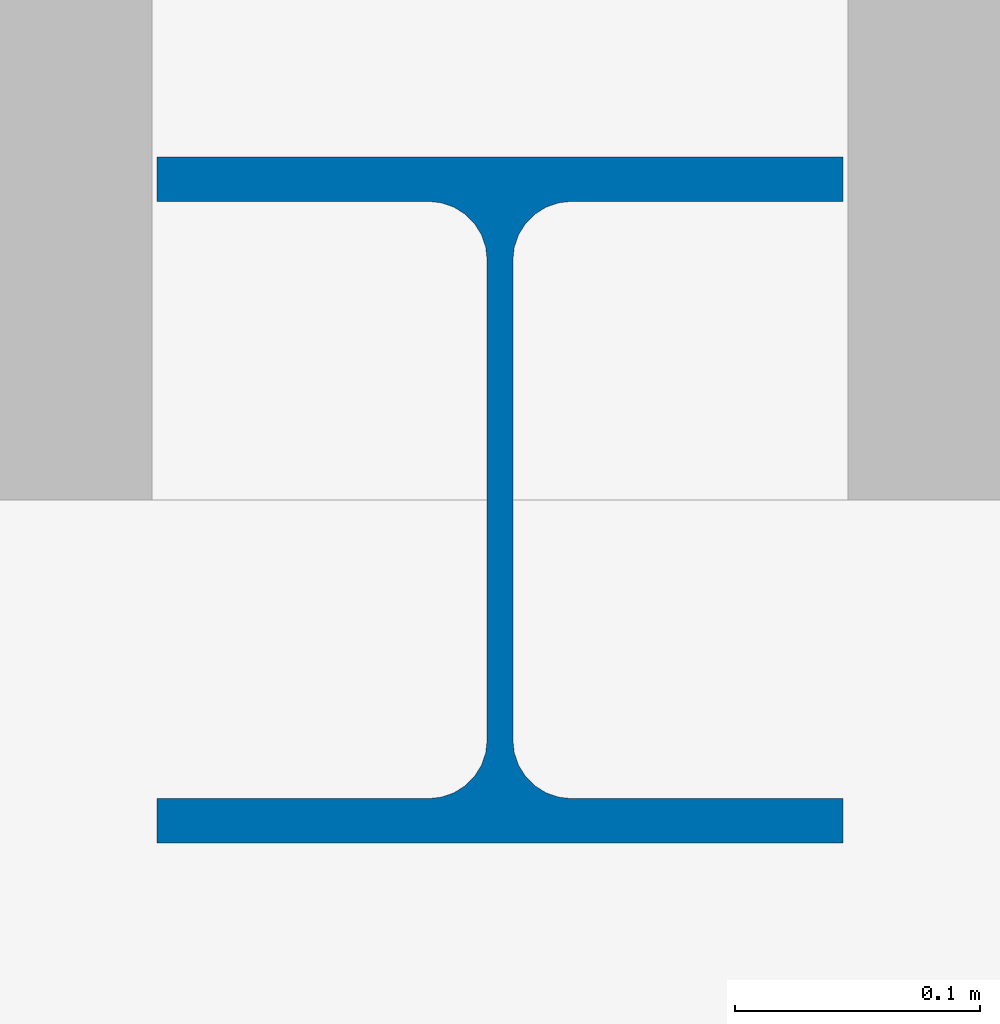
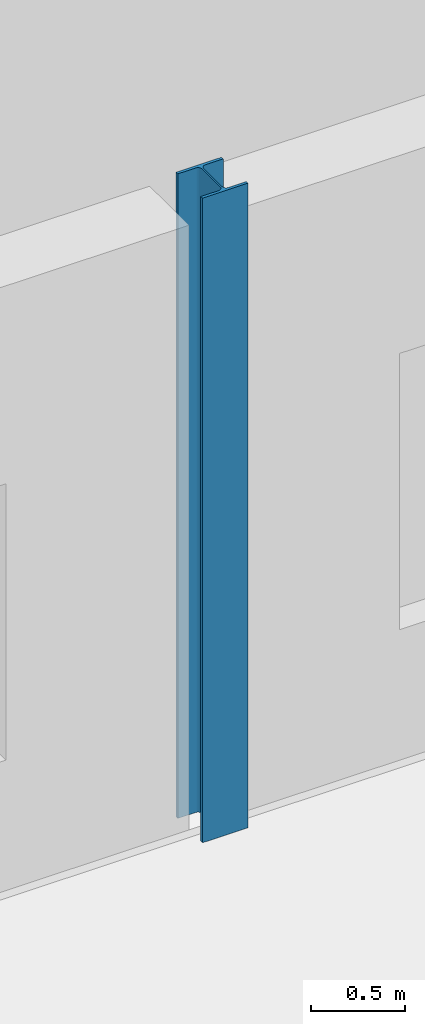
# One storey, part 11 of 124: 1 column.
"""IFC4 building model written with IfcOpenShell, lengths in metres."""

from ifc_helpers import new_model, si_unit, direction, frame, origin, origin_2d, place, context, subcontext, project, spatial, i_section, extrude, material, material_profile, profile_set, type_object, element, save


model = new_model("IFC4")

# Units and contexts
model_context = context("Model", 3, precision=1e-05, world=origin(), true_north=direction((0.0, 1.0)))
body_context = subcontext(model_context, "Body", "Model", "MODEL_VIEW")
ifc_project = project(units=[si_unit("LENGTHUNIT", "METRE"), si_unit("AREAUNIT", "SQUARE_METRE"), si_unit("VOLUMEUNIT", "CUBIC_METRE"), si_unit("PLANEANGLEUNIT", "RADIAN"), si_unit("MASSUNIT", "GRAM", prefix="KILO")], contexts=[model_context])

# Site, building, storey
site_placement = place(None, origin())
site = spatial("IfcSite", under=ifc_project, at=site_placement, CompositionType="ELEMENT")
building_placement = place(site_placement, origin())
building = spatial("IfcBuilding", under=site, at=building_placement, Name="Sundkrona Museum", CompositionType="ELEMENT")
storey_placement = place(building_placement, frame((0.0, 0.0, 17.60009765625)))
storey = spatial("IfcBuildingStorey", under=building, at=storey_placement, Name="L03", CompositionType="ELEMENT", Elevation=17.60009765625)

# Column
ifc_material = material(Name="Steel S355J2", Category="steel")
ifc_material_profile = material_profile(ifc_material, i_section(OverallWidth=0.280029296875, OverallDepth=0.280029296875, WebThickness=0.010498046875, FlangeThickness=0.01806640625, FilletRadius=0.02392578125, at=origin_2d()), Name="HEB 280")
ifc_profile_set = profile_set([ifc_material_profile], Name="Steel S355J2")
column_type = type_object("IfcColumnType", Name="C-HEB280", PredefinedType="COLUMN", material=ifc_profile_set)
column_placement = place(storey_placement, frame((112.0, 94.0, 0.0), z_axis=(0.0, 0.0, 1.0), x_axis=(1.0, 0.0, 0.0)))
element("IfcColumn", 1, at=column_placement, inside=storey, type_object=column_type, Name="L03 Column N/15", PredefinedType="COLUMN", context=body_context, shape_type="SweptSolid", body=[
    extrude(i_section(OverallWidth=0.280029296875, OverallDepth=0.280029296875, WebThickness=0.010498046875, FlangeThickness=0.01806640625, FilletRadius=0.02392578125, at=origin_2d()), origin(), (0.0, 0.0, 1.0), 4.199951171875),
])

save(model, "model.ifc")
